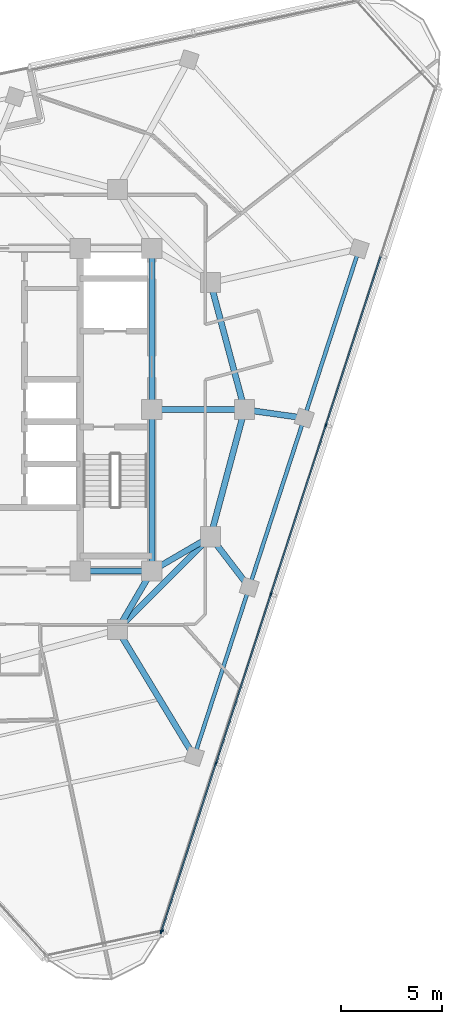
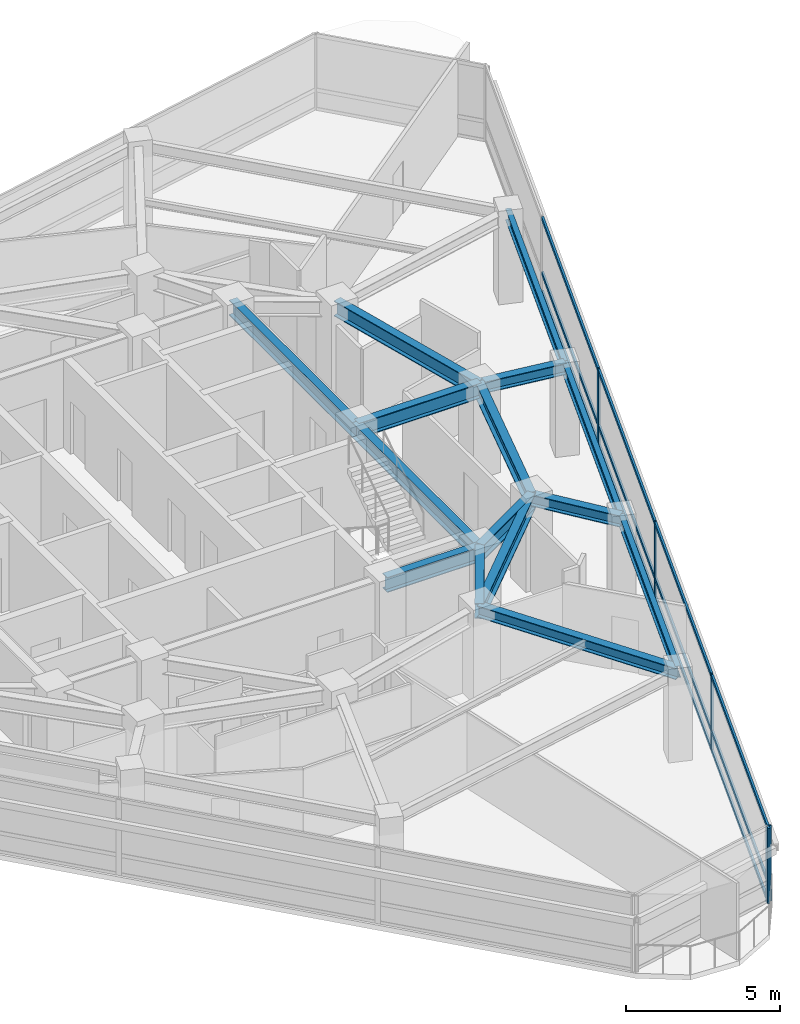
# One storey, part 4 of 15: 17 members, 15 beams, 2 elements without a shape of their own.
"""IFC4 building model written with IfcOpenShell, lengths in metres."""

import ifcopenshell
import ifcopenshell.guid

model = None  # the IFC model being written
_history = None  # IfcOwnerHistory: only IFC2X3 demands one
_inside = {}  # id of a spatial element -> (the spatial element, [elements in it])
_under = {}  # id of a project, library or spatial element -> (it, [spatial elements below it])
_declared = {}  # id of a project -> (the project, [libraries it declares])
_typed = {}  # id of a type object -> (the type object, [elements of that type])
_made_of = {}  # id of a material, layer set ... -> (it, [elements and type objects made of it])


def new_model(schema):
    """Start an empty IFC model of exactly this schema.

    Asked for "IFC4X3", IfcOpenShell would pick the latest addendum, in which some entities
    have other attributes; the version numbers below select the first issue.
    IFC2X3 requires an IfcOwnerHistory on every rooted entity: one is made here for all.
    """
    global model, _history
    if schema == "IFC4X3":
        model = ifcopenshell.file(schema_version=(4, 3, 0, 0))
    else:
        model = ifcopenshell.file(schema=schema)
    _inside.clear()
    _under.clear()
    _declared.clear()
    _typed.clear()
    _made_of.clear()
    _history = None
    if model.schema == "IFC2X3":
        org = make("IfcOrganization", Name="unknown")
        user = make(
            "IfcPersonAndOrganization",
            ThePerson=make("IfcPerson", FamilyName="unknown"),
            TheOrganization=org,
        )
        app = make(
            "IfcApplication",
            ApplicationDeveloper=org,
            Version="unknown",
            ApplicationFullName="unknown",
            ApplicationIdentifier="unknown",
        )
        _history = make(
            "IfcOwnerHistory",
            OwningUser=user,
            OwningApplication=app,
            ChangeAction="ADDED",
            CreationDate=0,
        )
    return model


def make(cls, **values):
    """One entity of the class cls with the attributes given. An attribute that is None is left unset."""
    return model.create_entity(
        cls, **{name: value for name, value in values.items() if value is not None}
    )


def rooted(cls, **values):
    """An entity with a GlobalId (a new one), such as an element, a storey or a relation."""
    return make(cls, GlobalId=ifcopenshell.guid.new(), OwnerHistory=_history, **values)


def si_unit(unit_type, name, prefix=None):
    """IfcSIUnit, for example si_unit("LENGTHUNIT", "METRE", prefix="MILLI")."""
    return make("IfcSIUnit", UnitType=unit_type, Prefix=prefix, Name=name)


def assignment(units):
    """IfcUnitAssignment: the units of a project."""
    return None if units is None else make("IfcUnitAssignment", Units=units)


def point(xyz):
    """IfcCartesianPoint."""
    return None if xyz is None else make("IfcCartesianPoint", Coordinates=xyz)


def direction(xyz):
    """IfcDirection."""
    return None if xyz is None else make("IfcDirection", DirectionRatios=xyz)


def frame(location, z_axis=None, x_axis=None):
    """IfcAxis2Placement3D, a coordinate frame: its origin and axes. An axis left out is left unset."""
    return make(
        "IfcAxis2Placement3D",
        Location=point(location),
        Axis=direction(z_axis),
        RefDirection=direction(x_axis),
    )


def frame_2d(location, x_axis=None):
    """IfcAxis2Placement2D, a coordinate frame in the plane: its origin and x axis."""
    return make(
        "IfcAxis2Placement2D", Location=point(location), RefDirection=direction(x_axis)
    )


def origin():
    """The frame at (0, 0, 0) with its axes left unset."""
    return frame((0.0, 0.0, 0.0))


def origin_2d():
    """The frame at (0, 0) in the plane with its x axis left unset."""
    return frame_2d((0.0, 0.0))


def place(relative_to, where):
    """IfcLocalPlacement: puts the frame where relative to a parent placement (None: the world)."""
    return make(
        "IfcLocalPlacement", PlacementRelTo=relative_to, RelativePlacement=where
    )


def context(
    kind, dimensions, precision=None, world=None, true_north=None, identifier=None
):
    """IfcGeometricRepresentationContext, for example the 3D "Model" context."""
    return make(
        "IfcGeometricRepresentationContext",
        ContextIdentifier=identifier,
        ContextType=kind,
        CoordinateSpaceDimension=dimensions,
        Precision=precision,
        WorldCoordinateSystem=world,
        TrueNorth=true_north,
    )


def subcontext(parent, identifier, kind, view, scale=None):
    """IfcGeometricRepresentationSubContext, for example "Body" below "Model"."""
    return make(
        "IfcGeometricRepresentationSubContext",
        ContextIdentifier=identifier,
        ContextType=kind,
        ParentContext=parent,
        TargetScale=scale,
        TargetView=view,
    )


def project(units=None, contexts=None):
    """IfcProject with its units and contexts."""
    return rooted(
        "IfcProject",
        Name="project",
        RepresentationContexts=contexts,
        UnitsInContext=assignment(units),
    )


def spatial(cls, under=None, at=None, **own):
    """A site, building, storey or space (cls), placed at a placement, below another one or the project."""
    s = rooted(cls, ObjectPlacement=at, **own)
    if under is not None:
        _under.setdefault(under.id(), (under, []))[1].append(s)
    return s


def profile(cls, at=None, kind="AREA", **sizes):
    """A parametric profile (cls). Its sizes go by their IFC names, for example OverallWidth=200.0."""
    return make(cls, ProfileType=kind, Position=at, **sizes)


def rectangle(**sizes):
    """IfcRectangleProfileDef."""
    return profile("IfcRectangleProfileDef", **sizes)


def i_section(**sizes):
    """IfcIShapeProfileDef."""
    return profile("IfcIShapeProfileDef", **sizes)


def extrude(swept, where, along, depth):
    """IfcExtrudedAreaSolid: the profile swept, set in the frame where, extruded along a direction by depth."""
    return make(
        "IfcExtrudedAreaSolid",
        SweptArea=swept,
        Position=where,
        ExtrudedDirection=direction(along),
        Depth=depth,
    )


def shape(context_of_items, identifier, shape_type, items):
    """IfcShapeRepresentation: the items that make up one representation, for example the "Body"."""
    return make(
        "IfcShapeRepresentation",
        ContextOfItems=context_of_items,
        RepresentationIdentifier=identifier,
        RepresentationType=shape_type,
        Items=items,
    )


def material(Name=None, Category=None):
    """IfcMaterial."""
    return make("IfcMaterial", Name=Name, Category=Category)


def layer(
    of_material, thickness, ventilated=None, Name=None, Category=None, Priority=None
):
    """IfcMaterialLayer: one layer of a wall or slab, of a material (None: an air gap)."""
    return make(
        "IfcMaterialLayer",
        Material=of_material,
        LayerThickness=thickness,
        IsVentilated=ventilated,
        Name=Name,
        Category=Category,
        Priority=Priority,
    )


def layer_set(layers, Name=None):
    """IfcMaterialLayerSet."""
    return make("IfcMaterialLayerSet", MaterialLayers=layers, LayerSetName=Name)


def material_profile(
    of_material, cross_section, Name=None, Category=None, Priority=None
):
    """IfcMaterialProfile: a cross section and its material."""
    return make(
        "IfcMaterialProfile",
        Name=Name,
        Material=of_material,
        Profile=cross_section,
        Priority=Priority,
        Category=Category,
    )


def profile_set(profiles, Name=None, composite=None):
    """IfcMaterialProfileSet."""
    return make(
        "IfcMaterialProfileSet",
        Name=Name,
        MaterialProfiles=profiles,
        CompositeProfile=composite,
    )


def made_of(thing, what):
    """Note that an element or type object is made of a material, layer set ...; save() writes the relation."""
    if what is not None:
        _made_of.setdefault(what.id(), (what, []))[1].append(thing)
    return thing


def type_object(cls, material=None, **own):
    """A type object (cls), such as IfcWallType, which elements share."""
    return made_of(rooted(cls, **own), material)


def element(
    cls,
    number,
    at=None,
    inside=None,
    cuts=None,
    type_object=None,
    material=None,
    context=None,
    identifier="Body",
    shape_type=None,
    held_by="IfcProductDefinitionShape",
    body=None,
    shapes=None,
    **own,
):
    """One element of the class cls, such as IfcWall. Its Tag is "e" and its number.

    at: its placement. inside: the storey or other place that contains it. cuts: it is an
    opening in that element (IfcRelVoidsElement). A single representation is given by context,
    identifier, shape_type and body (its items); several are given by shapes. held_by: the class
    of the entity that holds the representations. save() writes the other relations.
    """
    e = rooted(cls, Tag="e%d" % number, ObjectPlacement=at, **own)
    if body is not None:
        shapes = [shape(context, identifier, shape_type, body)]
    if shapes is not None:
        e.Representation = make(held_by, Representations=shapes)
    if inside is not None:
        _inside.setdefault(inside.id(), (inside, []))[1].append(e)
    if cuts is not None:
        rooted(
            "IfcRelVoidsElement", RelatingBuildingElement=cuts, RelatedOpeningElement=e
        )
    if type_object is not None:
        _typed.setdefault(type_object.id(), (type_object, []))[1].append(e)
    return made_of(e, material)


def aggregate(whole, parts):
    """IfcRelAggregates: a whole, such as a stair, and the parts it consists of."""
    return rooted("IfcRelAggregates", RelatingObject=whole, RelatedObjects=parts)


def save(model, path):
    """Write the relations noted so far, then the file.

    IfcRelAggregates (storeys below a building ...), IfcRelContainedInSpatialStructure (elements
    in a storey), IfcRelDefinesByType, IfcRelAssociatesMaterial and IfcRelDeclares: one each for
    every whole, place, type object, material and project.
    """
    for whole, parts in _under.values():
        aggregate(whole, parts)
    for where, things in _inside.values():
        rooted(
            "IfcRelContainedInSpatialStructure",
            RelatedElements=things,
            RelatingStructure=where,
        )
    for kind, things in _typed.values():
        rooted("IfcRelDefinesByType", RelatedObjects=things, RelatingType=kind)
    for what, things in _made_of.values():
        rooted("IfcRelAssociatesMaterial", RelatedObjects=things, RelatingMaterial=what)
    for by, libraries in _declared.values():
        rooted("IfcRelDeclares", RelatingContext=by, RelatedDefinitions=libraries)
    model.write(path)


model = new_model("IFC4")

# Units and contexts
model_context = context("Model", 3, precision=1e-05, world=origin(), true_north=direction((0.0, 1.0)))
body_context = subcontext(model_context, "Body", "Model", "MODEL_VIEW")
ifc_project = project(units=[si_unit("LENGTHUNIT", "METRE"), si_unit("AREAUNIT", "SQUARE_METRE"), si_unit("VOLUMEUNIT", "CUBIC_METRE"), si_unit("PLANEANGLEUNIT", "RADIAN"), si_unit("MASSUNIT", "GRAM", prefix="KILO")], contexts=[model_context])

# Site, building, storey
site_placement = place(None, origin())
site = spatial("IfcSite", under=ifc_project, at=site_placement, CompositionType="ELEMENT")
building_placement = place(site_placement, origin())
building = spatial("IfcBuilding", under=site, at=building_placement, Name="Terralouvre Media Tower", CompositionType="ELEMENT")
storey_placement = place(building_placement, frame((0.0, 0.0, 290.60009765625)))
storey = spatial("IfcBuildingStorey", under=building, at=storey_placement, Name="L75", CompositionType="ELEMENT", Elevation=290.60009765625)

# Curtain wall, members
ifc_material_1 = material(Name="Low-iron laminated double glazing with solar-control coating", Category="glass")
ifc_layer_1 = layer(ifc_material_1, 0.1650390625, Name="Faceted Glass-Point Crown Curtain Wall CW-06")
ifc_layer_set_1 = layer_set([ifc_layer_1], Name="Low-iron laminated double glazing with solar-control coating")
curtain_wall_type_1 = type_object("IfcCurtainWallType", Name="Faceted Glass-Point Crown Curtain Wall CW-06", PredefinedType="NOTDEFINED", material=ifc_layer_set_1)
curtain_wall_1_placement = place(storey_placement, origin())
curtain_wall_1 = element("IfcCurtainWall", 1, at=curtain_wall_1_placement, inside=storey, type_object=curtain_wall_type_1, Name="L75 Facade Curtain Wall F0", PredefinedType="NOTDEFINED")
ifc_material_2 = material(Name="Anodised extruded aluminium 6063-T6", Category="aluminium")
ifc_material_profile_1 = material_profile(ifc_material_2, rectangle(XDim=0.074951171875, YDim=0.14990234375, at=origin_2d()), Name="ALU 75x150")
ifc_profile_set_1 = profile_set([ifc_material_profile_1], Name="Anodised extruded aluminium 6063-T6")
member_type_1 = type_object("IfcMemberType", Name="Curtain-Wall Horizontal Transom TR-150", PredefinedType="USERDEFINED", material=ifc_profile_set_1)
member_1_placement = place(storey_placement, frame((8.476806640625, -25.87060546875, 0.037353515625), z_axis=(0.309004958377, 0.951060426944, 0.0), x_axis=(-0.951060426944, 0.309004958377, 0.0)))
member_1 = element("IfcMember", 2, at=member_1_placement, type_object=member_type_1, Name="CW-06 transom 1.1", ObjectType="TRANSOM", PredefinedType="USERDEFINED", context=body_context, shape_type="SweptSolid", body=[
    extrude(rectangle(XDim=0.074951171875, YDim=0.14990234375, at=origin_2d()), origin(), (0.0, 0.0, 1.0), 8.71142578125),
])
member_2_placement = place(storey_placement, frame((8.476806640625, -25.87060546875, 0.7998046875), z_axis=(0.309004958377, 0.951060426944, 0.0), x_axis=(-0.951060426944, 0.309004958377, 0.0)))
member_2 = element("IfcMember", 3, at=member_2_placement, type_object=member_type_1, Name="CW-06 transom 1.2", ObjectType="TRANSOM", PredefinedType="USERDEFINED", context=body_context, shape_type="SweptSolid", body=[
    extrude(rectangle(XDim=0.074951171875, YDim=0.14990234375, at=origin_2d()), origin(), (0.0, 0.0, 1.0), 8.71142578125),
])
member_3_placement = place(storey_placement, frame((8.476806640625, -25.87060546875, 2.96240234375), z_axis=(0.309004958377, 0.951060426944, 0.0), x_axis=(-0.951060426944, 0.309004958377, 0.0)))
member_3 = element("IfcMember", 4, at=member_3_placement, type_object=member_type_1, Name="CW-06 transom 1.3", ObjectType="TRANSOM", PredefinedType="USERDEFINED", context=body_context, shape_type="SweptSolid", body=[
    extrude(rectangle(XDim=0.074951171875, YDim=0.14990234375, at=origin_2d()), origin(), (0.0, 0.0, 1.0), 8.71142578125),
])
member_4_placement = place(storey_placement, frame((11.19189453125, -17.51416015625, 0.037353515625), z_axis=(0.309019188079, 0.951055803515, 0.0), x_axis=(-0.951055803515, 0.309019188079, 0.0)))
member_4 = element("IfcMember", 5, at=member_4_placement, type_object=member_type_1, Name="CW-06 transom 2.1", ObjectType="TRANSOM", PredefinedType="USERDEFINED", context=body_context, shape_type="SweptSolid", body=[
    extrude(rectangle(XDim=0.074951171875, YDim=0.14990234375, at=origin_2d()), origin(), (0.0, 0.0, 1.0), 8.7490234375),
])
member_5_placement = place(storey_placement, frame((11.19189453125, -17.51416015625, 0.7998046875), z_axis=(0.309019188079, 0.951055803515, 0.0), x_axis=(-0.951055803515, 0.309019188079, 0.0)))
member_5 = element("IfcMember", 6, at=member_5_placement, type_object=member_type_1, Name="CW-06 transom 2.2", ObjectType="TRANSOM", PredefinedType="USERDEFINED", context=body_context, shape_type="SweptSolid", body=[
    extrude(rectangle(XDim=0.074951171875, YDim=0.14990234375, at=origin_2d()), origin(), (0.0, 0.0, 1.0), 8.7490234375),
])
member_6_placement = place(storey_placement, frame((11.19189453125, -17.51416015625, 2.96240234375), z_axis=(0.309019188079, 0.951055803515, 0.0), x_axis=(-0.951055803515, 0.309019188079, 0.0)))
member_6 = element("IfcMember", 7, at=member_6_placement, type_object=member_type_1, Name="CW-06 transom 2.3", ObjectType="TRANSOM", PredefinedType="USERDEFINED", context=body_context, shape_type="SweptSolid", body=[
    extrude(rectangle(XDim=0.074951171875, YDim=0.14990234375, at=origin_2d()), origin(), (0.0, 0.0, 1.0), 8.7490234375),
])
member_7_placement = place(storey_placement, frame((13.918701171875, -9.1220703125, 0.037353515625), z_axis=(0.309019188079, 0.951055803515, 0.0), x_axis=(-0.951055803515, 0.309019188079, 0.0)))
member_7 = element("IfcMember", 8, at=member_7_placement, type_object=member_type_1, Name="CW-06 transom 3.1", ObjectType="TRANSOM", PredefinedType="USERDEFINED", context=body_context, shape_type="SweptSolid", body=[
    extrude(rectangle(XDim=0.074951171875, YDim=0.14990234375, at=origin_2d()), origin(), (0.0, 0.0, 1.0), 8.7490234375),
])
member_8_placement = place(storey_placement, frame((13.918701171875, -9.1220703125, 0.7998046875), z_axis=(0.309019188079, 0.951055803515, 0.0), x_axis=(-0.951055803515, 0.309019188079, 0.0)))
member_8 = element("IfcMember", 9, at=member_8_placement, type_object=member_type_1, Name="CW-06 transom 3.2", ObjectType="TRANSOM", PredefinedType="USERDEFINED", context=body_context, shape_type="SweptSolid", body=[
    extrude(rectangle(XDim=0.074951171875, YDim=0.14990234375, at=origin_2d()), origin(), (0.0, 0.0, 1.0), 8.7490234375),
])
member_9_placement = place(storey_placement, frame((13.918701171875, -9.1220703125, 2.96240234375), z_axis=(0.309019188079, 0.951055803515, 0.0), x_axis=(-0.951055803515, 0.309019188079, 0.0)))
member_9 = element("IfcMember", 10, at=member_9_placement, type_object=member_type_1, Name="CW-06 transom 3.3", ObjectType="TRANSOM", PredefinedType="USERDEFINED", context=body_context, shape_type="SweptSolid", body=[
    extrude(rectangle(XDim=0.074951171875, YDim=0.14990234375, at=origin_2d()), origin(), (0.0, 0.0, 1.0), 8.7490234375),
])
member_10_placement = place(storey_placement, frame((16.6455078125, -0.72998046875, 0.037353515625), z_axis=(0.309019188079, 0.951055803515, 0.0), x_axis=(-0.951055803515, 0.309019188079, 0.0)))
member_10 = element("IfcMember", 11, at=member_10_placement, type_object=member_type_1, Name="CW-06 transom 4.1", ObjectType="TRANSOM", PredefinedType="USERDEFINED", context=body_context, shape_type="SweptSolid", body=[
    extrude(rectangle(XDim=0.074951171875, YDim=0.14990234375, at=origin_2d()), origin(), (0.0, 0.0, 1.0), 8.7490234375),
])
member_11_placement = place(storey_placement, frame((16.6455078125, -0.72998046875, 0.7998046875), z_axis=(0.309019188079, 0.951055803515, 0.0), x_axis=(-0.951055803515, 0.309019188079, 0.0)))
member_11 = element("IfcMember", 12, at=member_11_placement, type_object=member_type_1, Name="CW-06 transom 4.2", ObjectType="TRANSOM", PredefinedType="USERDEFINED", context=body_context, shape_type="SweptSolid", body=[
    extrude(rectangle(XDim=0.074951171875, YDim=0.14990234375, at=origin_2d()), origin(), (0.0, 0.0, 1.0), 8.7490234375),
])
member_12_placement = place(storey_placement, frame((16.6455078125, -0.72998046875, 2.96240234375), z_axis=(0.309019188079, 0.951055803515, 0.0), x_axis=(-0.951055803515, 0.309019188079, 0.0)))
member_12 = element("IfcMember", 13, at=member_12_placement, type_object=member_type_1, Name="CW-06 transom 4.3", ObjectType="TRANSOM", PredefinedType="USERDEFINED", context=body_context, shape_type="SweptSolid", body=[
    extrude(rectangle(XDim=0.074951171875, YDim=0.14990234375, at=origin_2d()), origin(), (0.0, 0.0, 1.0), 8.7490234375),
])
ifc_material_3 = material(Name="Anodised extruded aluminium 6063-T6", Category="aluminium")
ifc_material_profile_2 = material_profile(ifc_material_3, rectangle(XDim=0.074951171875, YDim=0.179931640625, at=origin_2d()), Name="ALU 75x180")
ifc_profile_set_2 = profile_set([ifc_material_profile_2], Name="Anodised extruded aluminium 6063-T6")
member_type_2 = type_object("IfcMemberType", Name="Curtain-Wall Vertical Mullion ML-180", PredefinedType="MULLION", material=ifc_profile_set_2)
member_13_placement = place(storey_placement, frame((8.465087890625, -25.90625, 0.0), z_axis=(0.0, 0.0, 1.0), x_axis=(-0.951056507337, 0.309017021946, 0.0)))
member_13 = element("IfcMember", 14, at=member_13_placement, type_object=member_type_2, Name="CW-06 mullion 1", PredefinedType="MULLION", context=body_context, shape_type="SweptSolid", body=[
    extrude(rectangle(XDim=0.074951171875, YDim=0.179931640625, at=origin_2d()), origin(), (0.0, 0.0, 1.0), 3.0),
])
member_14_placement = place(storey_placement, frame((11.180419921875, -17.5498046875, 0.0), z_axis=(0.0, 0.0, 1.0), x_axis=(-0.951056507337, 0.309017021946, 0.0)))
member_14 = element("IfcMember", 15, at=member_14_placement, type_object=member_type_2, Name="CW-06 mullion 2", PredefinedType="MULLION", context=body_context, shape_type="SweptSolid", body=[
    extrude(rectangle(XDim=0.074951171875, YDim=0.179931640625, at=origin_2d()), origin(), (0.0, 0.0, 1.0), 3.0),
])
member_15_placement = place(storey_placement, frame((13.9072265625, -9.15771484375, 0.0), z_axis=(0.0, 0.0, 1.0), x_axis=(-0.951056507337, 0.309017021946, 0.0)))
member_15 = element("IfcMember", 16, at=member_15_placement, type_object=member_type_2, Name="CW-06 mullion 3", PredefinedType="MULLION", context=body_context, shape_type="SweptSolid", body=[
    extrude(rectangle(XDim=0.074951171875, YDim=0.179931640625, at=origin_2d()), origin(), (0.0, 0.0, 1.0), 3.0),
])
member_16_placement = place(storey_placement, frame((16.6337890625, -0.765625, 0.0), z_axis=(0.0, 0.0, 1.0), x_axis=(-0.951056507337, 0.309017021946, 0.0)))
member_16 = element("IfcMember", 17, at=member_16_placement, type_object=member_type_2, Name="CW-06 mullion 4", PredefinedType="MULLION", context=body_context, shape_type="SweptSolid", body=[
    extrude(rectangle(XDim=0.074951171875, YDim=0.179931640625, at=origin_2d()), origin(), (0.0, 0.0, 1.0), 3.0),
])
aggregate(curtain_wall_1, [member_13, member_14, member_15, member_16, member_1, member_2, member_3, member_4, member_5, member_6, member_7, member_8, member_9, member_10, member_11, member_12])

# Curtain wall, member
ifc_material_4 = material(Name="Low-iron laminated double glazing with solar-control coating", Category="glass")
ifc_layer_2 = layer(ifc_material_4, 0.1650390625, Name="Rounded Wind-Corner Curved Glazing CW-04")
ifc_layer_set_2 = layer_set([ifc_layer_2], Name="Low-iron laminated double glazing with solar-control coating")
curtain_wall_type_2 = type_object("IfcCurtainWallType", Name="Rounded Wind-Corner Curved Glazing CW-04", PredefinedType="NOTDEFINED", material=ifc_layer_set_2)
curtain_wall_2_placement = place(storey_placement, origin())
curtain_wall_2 = element("IfcCurtainWall", 18, at=curtain_wall_2_placement, inside=storey, type_object=curtain_wall_type_2, Name="L75 Rounded Wind-Corner Curtain Wall C0", PredefinedType="NOTDEFINED")
member_17_placement = place(storey_placement, frame((8.501953125, -25.849853515625, 0.0), z_axis=(0.0, 0.0, 1.0), x_axis=(-0.207911647592, 0.978147609922, 0.0)))
member_17 = element("IfcMember", 19, at=member_17_placement, type_object=member_type_2, Name="CW-04 mullion 2", PredefinedType="MULLION", context=body_context, shape_type="SweptSolid", body=[
    extrude(rectangle(XDim=0.074951171875, YDim=0.179931640625, at=origin_2d()), origin(), (0.0, 0.0, 1.0), 3.0),
])
aggregate(curtain_wall_2, [member_17])

# Beams
ifc_material_5 = material(Name="Structural steel S355J2", Category="steel")
ifc_material_profile_3 = material_profile(ifc_material_5, i_section(OverallWidth=0.18994140625, OverallDepth=0.449951171875, WebThickness=0.009521484375, FlangeThickness=0.0146484375, at=origin_2d()), Name="IPE 450")
ifc_profile_set_3 = profile_set([ifc_material_profile_3], Name="Structural steel S355J2")
beam_type_1 = type_object("IfcBeamType", Name="Perimeter Spandrel Beam SPB-450 (IPE 450)", PredefinedType="SPANDREL", material=ifc_profile_set_3)
for number, where, z_axis, x_axis, name in (
    (20, (10.105712890625, -17.20068359375, 3.27490234375), (0.309022258842, 0.95105480575, 0.0), (-0.95105480575, 0.309022258842, 0.0), "L75 Framing Beam BM-L75-PR05"),
    (21, (12.83251953125, -8.80859375, 3.27490234375), (0.308997232802, 0.951062936992, 0.0), (-0.951062936992, 0.308997232802, 0.0), "L75 Framing Beam BM-L75-PR06"),
):
    element("IfcBeam", number, at=place(storey_placement, frame(where, z_axis=z_axis, x_axis=x_axis)), inside=storey, type_object=beam_type_1, Name=name, PredefinedType="SPANDREL", context=body_context, shape_type="SweptSolid", body=[
        extrude(i_section(OverallWidth=0.18994140625, OverallDepth=0.449951171875, WebThickness=0.009521484375, FlangeThickness=0.0146484375, at=origin_2d()), origin(), (0.0, 0.0, 1.0), 8.823974609375),
    ])
beam_1_placement = place(storey_placement, frame((15.55908203125, -0.41650390625, 3.27490234375), z_axis=(0.309014127542, 0.951057447781, 0.0), x_axis=(-0.951057447781, 0.309014127542, 0.0)))
element("IfcBeam", 22, at=beam_1_placement, inside=storey, type_object=beam_type_1, Name="L75 Framing Beam BM-L75-PR07", PredefinedType="SPANDREL", context=body_context, shape_type="SweptSolid", body=[
    extrude(i_section(OverallWidth=0.18994140625, OverallDepth=0.449951171875, WebThickness=0.009521484375, FlangeThickness=0.0146484375, at=origin_2d()), origin(), (0.0, 0.0, 1.0), 8.82421875),
])
ifc_material_6 = material(Name="Structural steel S355J2", Category="steel")
ifc_material_profile_4 = material_profile(ifc_material_6, i_section(OverallWidth=0.300048828125, OverallDepth=0.449951171875, WebThickness=0.013916015625, FlangeThickness=0.02587890625, at=origin_2d()), Name="HEB 450")
ifc_profile_set_4 = profile_set([ifc_material_profile_4], Name="Structural steel S355J2")
beam_type_2 = type_object("IfcBeamType", Name="Primary Floor Girder B-HEB450 (HEB 450)", PredefinedType="BEAM", material=ifc_profile_set_4)
beam_2_placement = place(storey_placement, frame((6.300048828125, -10.911865234375, 3.27490234375), z_axis=(0.517730392552, -0.855543827415, 0.0), x_axis=(0.855543827415, 0.517730392552, 0.0)))
element("IfcBeam", 23, at=beam_2_placement, inside=storey, type_object=beam_type_2, Name="L75 Framing Beam BM-L75-RD05", PredefinedType="BEAM", context=body_context, shape_type="SweptSolid", body=[
    extrude(i_section(OverallWidth=0.300048828125, OverallDepth=0.449951171875, WebThickness=0.013916015625, FlangeThickness=0.02587890625, at=origin_2d()), origin(), (0.0, 0.0, 1.0), 7.3505859375),
])
beam_3_placement = place(storey_placement, frame((10.911865234375, -6.300048828125, 3.27490234375), z_axis=(0.607920398404, -0.793997978086, 0.0), x_axis=(0.793997978086, 0.607920398404, 0.0)))
element("IfcBeam", 24, at=beam_3_placement, inside=storey, type_object=beam_type_2, Name="L75 Framing Beam BM-L75-RD06", PredefinedType="BEAM", context=body_context, shape_type="SweptSolid", body=[
    extrude(i_section(OverallWidth=0.300048828125, OverallDepth=0.449951171875, WebThickness=0.013916015625, FlangeThickness=0.02587890625, at=origin_2d()), origin(), (0.0, 0.0, 1.0), 3.159423828125),
])
beam_4_placement = place(storey_placement, frame((12.60009765625, 0.0, 3.27490234375), z_axis=(0.990238261961, -0.139385022682, 0.0), x_axis=(0.139385022682, 0.990238261961, 0.0)))
element("IfcBeam", 25, at=beam_4_placement, inside=storey, type_object=beam_type_2, Name="L75 Framing Beam BM-L75-RD07", PredefinedType="BEAM", context=body_context, shape_type="SweptSolid", body=[
    extrude(i_section(OverallWidth=0.300048828125, OverallDepth=0.449951171875, WebThickness=0.013916015625, FlangeThickness=0.02587890625, at=origin_2d()), origin(), (0.0, 0.0, 1.0), 2.988037109375),
])
ifc_material_7 = material(Name="Structural steel S460M", Category="steel")
ifc_material_profile_5 = material_profile(ifc_material_7, i_section(OverallWidth=0.300048828125, OverallDepth=0.60009765625, WebThickness=0.015380859375, FlangeThickness=0.030029296875, at=origin_2d()), Name="HEB 600")
ifc_profile_set_5 = profile_set([ifc_material_profile_5], Name="Structural steel S460M")
beam_type_3 = type_object("IfcBeamType", Name="Primary Floor Girder B-HEB600 (HEB 600)", PredefinedType="BEAM", material=ifc_profile_set_5)
beam_5_placement = place(storey_placement, frame((4.449951171875, -8.0, 3.199951171875), z_axis=(1.0, 0.0, 0.0), x_axis=(0.0, 1.0, 0.0)))
element("IfcBeam", 26, at=beam_5_placement, inside=storey, type_object=beam_type_3, Name="L75 Framing Beam BM-L75-CPR03", PredefinedType="BEAM", context=body_context, shape_type="SweptSolid", body=[
    extrude(i_section(OverallWidth=0.300048828125, OverallDepth=0.60009765625, WebThickness=0.015380859375, FlangeThickness=0.030029296875, at=origin_2d()), origin(), (0.0, 0.0, 1.0), 3.550048828125),
])
for number, where, z_axis, x_axis, name in (
    (27, (8.0, -8.0, 3.199951171875), (0.0, 1.0, 0.0), (-1.0, 0.0, 0.0), "L75 Framing Beam BM-L75-CPR04"),
    (28, (8.0, 0.0, 3.199951171875), (0.0, 1.0, 0.0), (-1.0, 0.0, 0.0), "L75 Framing Beam BM-L75-CPR05"),
):
    element("IfcBeam", number, at=place(storey_placement, frame(where, z_axis=z_axis, x_axis=x_axis)), inside=storey, type_object=beam_type_3, Name=name, PredefinedType="BEAM", context=body_context, shape_type="SweptSolid", body=[
        extrude(i_section(OverallWidth=0.300048828125, OverallDepth=0.60009765625, WebThickness=0.015380859375, FlangeThickness=0.030029296875, at=origin_2d()), origin(), (0.0, 0.0, 1.0), 8.0),
    ])
beam_6_placement = place(storey_placement, frame((6.300048828125, -10.911865234375, 3.199951171875), z_axis=(0.707106781187, 0.707106781187, 0.0), x_axis=(-0.707106781187, 0.707106781187, 0.0)))
element("IfcBeam", 29, at=beam_6_placement, inside=storey, type_object=beam_type_3, Name="L75 Framing Beam BM-L75-MR04", PredefinedType="BEAM", context=body_context, shape_type="SweptSolid", body=[
    extrude(i_section(OverallWidth=0.300048828125, OverallDepth=0.60009765625, WebThickness=0.015380859375, FlangeThickness=0.030029296875, at=origin_2d()), origin(), (0.0, 0.0, 1.0), 6.52197265625),
])
for number, where, z_axis, x_axis, name in (
    (30, (10.911865234375, -6.300048828125, 3.199951171875), (0.258838989821, 0.965920481897, 0.0), (-0.965920481897, 0.258838989821, 0.0), "L75 Framing Beam BM-L75-MR05"),
    (31, (12.60009765625, 0.0, 3.199951171875), (-0.258838989821, 0.965920481897, 0.0), (-0.965920481897, -0.258838989821, 0.0), "L75 Framing Beam BM-L75-MR06"),
):
    element("IfcBeam", number, at=place(storey_placement, frame(where, z_axis=z_axis, x_axis=x_axis)), inside=storey, type_object=beam_type_3, Name=name, PredefinedType="BEAM", context=body_context, shape_type="SweptSolid", body=[
        extrude(i_section(OverallWidth=0.300048828125, OverallDepth=0.60009765625, WebThickness=0.015380859375, FlangeThickness=0.030029296875, at=origin_2d()), origin(), (0.0, 0.0, 1.0), 6.522216796875),
    ])
for number, where, z_axis, x_axis, name in (
    (32, (8.0, -8.0, 3.199951171875), (-0.504172629717, -0.863602894532, 0.0), (0.863602894532, -0.504172629717, 0.0), "L75 Framing Beam BM-L75-CM04"),
    (33, (8.0, -8.0, 3.199951171875), (0.863602894532, 0.504172629717, 0.0), (-0.504172629717, 0.863602894532, 0.0), "L75 Framing Beam BM-L75-CM05"),
):
    element("IfcBeam", number, at=place(storey_placement, frame(where, z_axis=z_axis, x_axis=x_axis)), inside=storey, type_object=beam_type_3, Name=name, PredefinedType="BEAM", context=body_context, shape_type="SweptSolid", body=[
        extrude(i_section(OverallWidth=0.300048828125, OverallDepth=0.60009765625, WebThickness=0.015380859375, FlangeThickness=0.030029296875, at=origin_2d()), origin(), (0.0, 0.0, 1.0), 3.371826171875),
    ])
beam_7_placement = place(storey_placement, frame((8.0, 0.0, 3.199951171875), z_axis=(1.0, 0.0, 0.0), x_axis=(0.0, 1.0, 0.0)))
element("IfcBeam", 34, at=beam_7_placement, inside=storey, type_object=beam_type_3, Name="L75 Framing Beam BM-L75-CM06", PredefinedType="BEAM", context=body_context, shape_type="SweptSolid", body=[
    extrude(i_section(OverallWidth=0.300048828125, OverallDepth=0.60009765625, WebThickness=0.015380859375, FlangeThickness=0.030029296875, at=origin_2d()), origin(), (0.0, 0.0, 1.0), 4.60009765625),
])

save(model, "model.ifc")
